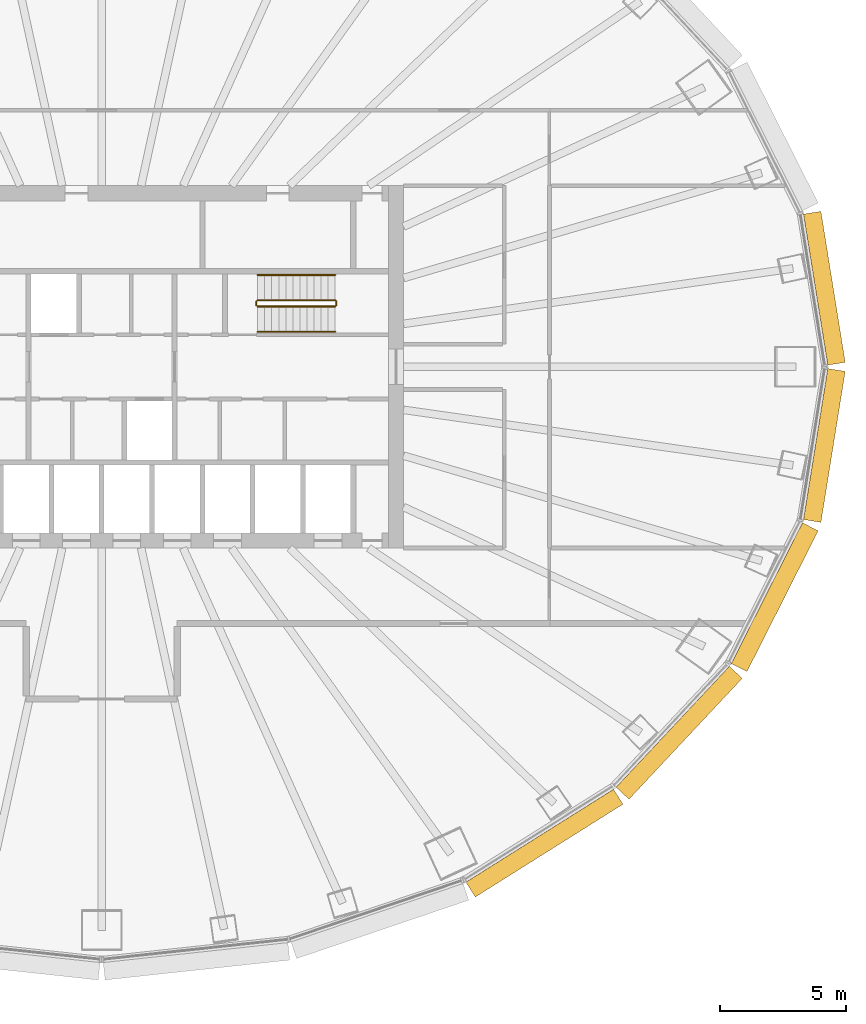
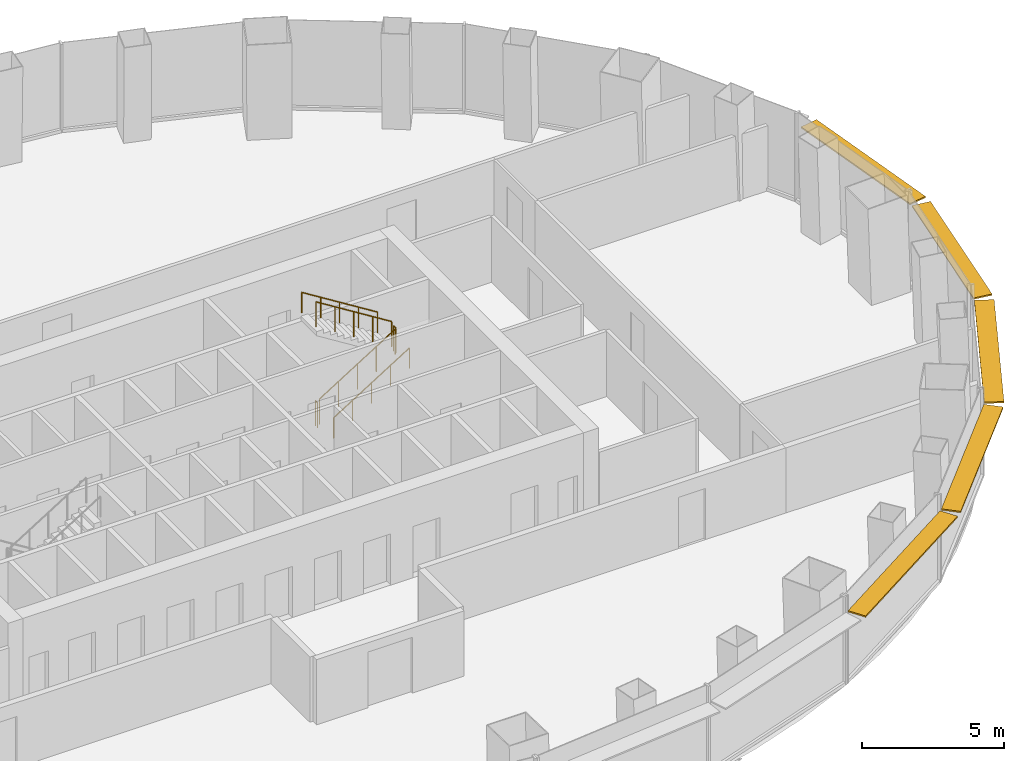
# One storey, part 12 of 13: 6 railings, 5 shading devices.
"""IFC4 building model written with IfcOpenShell, lengths in metres."""

import ifcopenshell
import ifcopenshell.guid

model = None  # the IFC model being written
_history = None  # IfcOwnerHistory: only IFC2X3 demands one
_inside = {}  # id of a spatial element -> (the spatial element, [elements in it])
_under = {}  # id of a project, library or spatial element -> (it, [spatial elements below it])
_declared = {}  # id of a project -> (the project, [libraries it declares])
_typed = {}  # id of a type object -> (the type object, [elements of that type])
_made_of = {}  # id of a material, layer set ... -> (it, [elements and type objects made of it])


def new_model(schema):
    """Start an empty IFC model of exactly this schema.

    Asked for "IFC4X3", IfcOpenShell would pick the latest addendum, in which some entities
    have other attributes; the version numbers below select the first issue.
    IFC2X3 requires an IfcOwnerHistory on every rooted entity: one is made here for all.
    """
    global model, _history
    if schema == "IFC4X3":
        model = ifcopenshell.file(schema_version=(4, 3, 0, 0))
    else:
        model = ifcopenshell.file(schema=schema)
    _inside.clear()
    _under.clear()
    _declared.clear()
    _typed.clear()
    _made_of.clear()
    _history = None
    if model.schema == "IFC2X3":
        org = make("IfcOrganization", Name="unknown")
        user = make(
            "IfcPersonAndOrganization",
            ThePerson=make("IfcPerson", FamilyName="unknown"),
            TheOrganization=org,
        )
        app = make(
            "IfcApplication",
            ApplicationDeveloper=org,
            Version="unknown",
            ApplicationFullName="unknown",
            ApplicationIdentifier="unknown",
        )
        _history = make(
            "IfcOwnerHistory",
            OwningUser=user,
            OwningApplication=app,
            ChangeAction="ADDED",
            CreationDate=0,
        )
    return model


def make(cls, **values):
    """One entity of the class cls with the attributes given. An attribute that is None is left unset."""
    return model.create_entity(
        cls, **{name: value for name, value in values.items() if value is not None}
    )


def rooted(cls, **values):
    """An entity with a GlobalId (a new one), such as an element, a storey or a relation."""
    return make(cls, GlobalId=ifcopenshell.guid.new(), OwnerHistory=_history, **values)


def si_unit(unit_type, name, prefix=None):
    """IfcSIUnit, for example si_unit("LENGTHUNIT", "METRE", prefix="MILLI")."""
    return make("IfcSIUnit", UnitType=unit_type, Prefix=prefix, Name=name)


def assignment(units):
    """IfcUnitAssignment: the units of a project."""
    return None if units is None else make("IfcUnitAssignment", Units=units)


def point(xyz):
    """IfcCartesianPoint."""
    return None if xyz is None else make("IfcCartesianPoint", Coordinates=xyz)


def direction(xyz):
    """IfcDirection."""
    return None if xyz is None else make("IfcDirection", DirectionRatios=xyz)


def frame(location, z_axis=None, x_axis=None):
    """IfcAxis2Placement3D, a coordinate frame: its origin and axes. An axis left out is left unset."""
    return make(
        "IfcAxis2Placement3D",
        Location=point(location),
        Axis=direction(z_axis),
        RefDirection=direction(x_axis),
    )


def frame_2d(location, x_axis=None):
    """IfcAxis2Placement2D, a coordinate frame in the plane: its origin and x axis."""
    return make(
        "IfcAxis2Placement2D", Location=point(location), RefDirection=direction(x_axis)
    )


def origin():
    """The frame at (0, 0, 0) with its axes left unset."""
    return frame((0.0, 0.0, 0.0))


def origin_2d():
    """The frame at (0, 0) in the plane with its x axis left unset."""
    return frame_2d((0.0, 0.0))


def place(relative_to, where):
    """IfcLocalPlacement: puts the frame where relative to a parent placement (None: the world)."""
    return make(
        "IfcLocalPlacement", PlacementRelTo=relative_to, RelativePlacement=where
    )


def context(
    kind, dimensions, precision=None, world=None, true_north=None, identifier=None
):
    """IfcGeometricRepresentationContext, for example the 3D "Model" context."""
    return make(
        "IfcGeometricRepresentationContext",
        ContextIdentifier=identifier,
        ContextType=kind,
        CoordinateSpaceDimension=dimensions,
        Precision=precision,
        WorldCoordinateSystem=world,
        TrueNorth=true_north,
    )


def subcontext(parent, identifier, kind, view, scale=None):
    """IfcGeometricRepresentationSubContext, for example "Body" below "Model"."""
    return make(
        "IfcGeometricRepresentationSubContext",
        ContextIdentifier=identifier,
        ContextType=kind,
        ParentContext=parent,
        TargetScale=scale,
        TargetView=view,
    )


def project(units=None, contexts=None):
    """IfcProject with its units and contexts."""
    return rooted(
        "IfcProject",
        Name="project",
        RepresentationContexts=contexts,
        UnitsInContext=assignment(units),
    )


def spatial(cls, under=None, at=None, **own):
    """A site, building, storey or space (cls), placed at a placement, below another one or the project."""
    s = rooted(cls, ObjectPlacement=at, **own)
    if under is not None:
        _under.setdefault(under.id(), (under, []))[1].append(s)
    return s


def profile(cls, at=None, kind="AREA", **sizes):
    """A parametric profile (cls). Its sizes go by their IFC names, for example OverallWidth=200.0."""
    return make(cls, ProfileType=kind, Position=at, **sizes)


def rectangle(**sizes):
    """IfcRectangleProfileDef."""
    return profile("IfcRectangleProfileDef", **sizes)


def circle(**sizes):
    """IfcCircleProfileDef."""
    return profile("IfcCircleProfileDef", **sizes)


def extrude(swept, where, along, depth):
    """IfcExtrudedAreaSolid: the profile swept, set in the frame where, extruded along a direction by depth."""
    return make(
        "IfcExtrudedAreaSolid",
        SweptArea=swept,
        Position=where,
        ExtrudedDirection=direction(along),
        Depth=depth,
    )


def shape(context_of_items, identifier, shape_type, items):
    """IfcShapeRepresentation: the items that make up one representation, for example the "Body"."""
    return make(
        "IfcShapeRepresentation",
        ContextOfItems=context_of_items,
        RepresentationIdentifier=identifier,
        RepresentationType=shape_type,
        Items=items,
    )


def material(Name=None, Category=None):
    """IfcMaterial."""
    return make("IfcMaterial", Name=Name, Category=Category)


def layer(
    of_material, thickness, ventilated=None, Name=None, Category=None, Priority=None
):
    """IfcMaterialLayer: one layer of a wall or slab, of a material (None: an air gap)."""
    return make(
        "IfcMaterialLayer",
        Material=of_material,
        LayerThickness=thickness,
        IsVentilated=ventilated,
        Name=Name,
        Category=Category,
        Priority=Priority,
    )


def layer_set(layers, Name=None):
    """IfcMaterialLayerSet."""
    return make("IfcMaterialLayerSet", MaterialLayers=layers, LayerSetName=Name)


def made_of(thing, what):
    """Note that an element or type object is made of a material, layer set ...; save() writes the relation."""
    if what is not None:
        _made_of.setdefault(what.id(), (what, []))[1].append(thing)
    return thing


def type_object(cls, material=None, **own):
    """A type object (cls), such as IfcWallType, which elements share."""
    return made_of(rooted(cls, **own), material)


def element(
    cls,
    number,
    at=None,
    inside=None,
    cuts=None,
    type_object=None,
    material=None,
    context=None,
    identifier="Body",
    shape_type=None,
    held_by="IfcProductDefinitionShape",
    body=None,
    shapes=None,
    **own,
):
    """One element of the class cls, such as IfcWall. Its Tag is "e" and its number.

    at: its placement. inside: the storey or other place that contains it. cuts: it is an
    opening in that element (IfcRelVoidsElement). A single representation is given by context,
    identifier, shape_type and body (its items); several are given by shapes. held_by: the class
    of the entity that holds the representations. save() writes the other relations.
    """
    e = rooted(cls, Tag="e%d" % number, ObjectPlacement=at, **own)
    if body is not None:
        shapes = [shape(context, identifier, shape_type, body)]
    if shapes is not None:
        e.Representation = make(held_by, Representations=shapes)
    if inside is not None:
        _inside.setdefault(inside.id(), (inside, []))[1].append(e)
    if cuts is not None:
        rooted(
            "IfcRelVoidsElement", RelatingBuildingElement=cuts, RelatedOpeningElement=e
        )
    if type_object is not None:
        _typed.setdefault(type_object.id(), (type_object, []))[1].append(e)
    return made_of(e, material)


def aggregate(whole, parts):
    """IfcRelAggregates: a whole, such as a stair, and the parts it consists of."""
    return rooted("IfcRelAggregates", RelatingObject=whole, RelatedObjects=parts)


def save(model, path):
    """Write the relations noted so far, then the file.

    IfcRelAggregates (storeys below a building ...), IfcRelContainedInSpatialStructure (elements
    in a storey), IfcRelDefinesByType, IfcRelAssociatesMaterial and IfcRelDeclares: one each for
    every whole, place, type object, material and project.
    """
    for whole, parts in _under.values():
        aggregate(whole, parts)
    for where, things in _inside.values():
        rooted(
            "IfcRelContainedInSpatialStructure",
            RelatedElements=things,
            RelatingStructure=where,
        )
    for kind, things in _typed.values():
        rooted("IfcRelDefinesByType", RelatedObjects=things, RelatingType=kind)
    for what, things in _made_of.values():
        rooted("IfcRelAssociatesMaterial", RelatedObjects=things, RelatingMaterial=what)
    for by, libraries in _declared.values():
        rooted("IfcRelDeclares", RelatingContext=by, RelatedDefinitions=libraries)
    model.write(path)


model = new_model("IFC4")

# Units and contexts
model_context = context("Model", 3, precision=1e-05, world=origin(), true_north=direction((0.0, 1.0)))
body_context = subcontext(model_context, "Body", "Model", "MODEL_VIEW")
ifc_project = project(units=[si_unit("LENGTHUNIT", "METRE"), si_unit("AREAUNIT", "SQUARE_METRE"), si_unit("VOLUMEUNIT", "CUBIC_METRE"), si_unit("PLANEANGLEUNIT", "RADIAN"), si_unit("MASSUNIT", "GRAM", prefix="KILO")], contexts=[model_context])

# Site, building, storey
site_placement = place(None, origin())
site = spatial("IfcSite", under=ifc_project, at=site_placement, CompositionType="ELEMENT")
building_placement = place(site_placement, origin())
building = spatial("IfcBuilding", under=site, at=building_placement, Name="Siaravel Broadcast Tower", CompositionType="ELEMENT")
storey_placement = place(building_placement, frame((0.0, 0.0, 24.5)))
storey = spatial("IfcBuildingStorey", under=building, at=storey_placement, Name="L04", CompositionType="ELEMENT", Elevation=24.5)

# Shading devices
ifc_material_1 = material(Name="Bronze anodised aluminium", Category="aluminium")
ifc_layer = layer(ifc_material_1, 0.06005859375)
ifc_layer_set = layer_set([ifc_layer], Name="Bronze anodised aluminium")
shading_device_type = type_object("IfcShadingDeviceType", Name="Brise-soleil band", PredefinedType="USERDEFINED", material=ifc_layer_set)
shading_device_1_placement = place(storey_placement, frame((28.726318359375, 3.125, 3.070068359375), z_axis=(0.0, 0.0, 1.0), x_axis=(-0.158685394, 0.987329198, 0.0)))
element("IfcShadingDevice", 1, at=shading_device_1_placement, inside=storey, type_object=shading_device_type, Name="L04 brise-soleil band 01", ObjectType="SUNSHADE", PredefinedType="USERDEFINED", context=body_context, shape_type="SweptSolid", body=[
    extrude(rectangle(XDim=6.078125, YDim=0.699951171875, at=origin_2d()), origin(), (0.0, 0.0, 1.0), 0.06005859375),
])
shading_device_2_placement = place(storey_placement, frame((17.599853515625, -18.93310546875, 3.070068359375), z_axis=(0.0, 0.0, 1.0), x_axis=(0.846651365, 0.532147974, 0.0)))
element("IfcShadingDevice", 2, at=shading_device_2_placement, inside=storey, type_object=shading_device_type, Name="L04 brise-soleil band 21", ObjectType="SUNSHADE", PredefinedType="USERDEFINED", context=body_context, shape_type="SweptSolid", body=[
    extrude(rectangle(XDim=6.9326171875, YDim=0.699951171875, at=origin_2d()), origin(), (0.0, 0.0, 1.0), 0.06005859375),
])
shading_device_3_placement = place(storey_placement, frame((22.95556640625, -14.54541015625, 3.070068359375), z_axis=(0.0, 0.0, 1.0), x_axis=(0.683655992, 0.729804415, 0.0)))
element("IfcShadingDevice", 3, at=shading_device_3_placement, inside=storey, type_object=shading_device_type, Name="L04 brise-soleil band 22", ObjectType="SUNSHADE", PredefinedType="USERDEFINED", context=body_context, shape_type="SweptSolid", body=[
    extrude(rectangle(XDim=6.584716796875, YDim=0.699951171875, at=origin_2d()), origin(), (0.0, 0.0, 1.0), 0.06005859375),
])
shading_device_4_placement = place(storey_placement, frame((26.75439453125, -9.15478515625, 3.070068359375), z_axis=(0.0, 0.0, 1.0), x_axis=(0.451262289, 0.892391364, 0.0)))
element("IfcShadingDevice", 4, at=shading_device_4_placement, inside=storey, type_object=shading_device_type, Name="L04 brise-soleil band 23", ObjectType="SUNSHADE", PredefinedType="USERDEFINED", context=body_context, shape_type="SweptSolid", body=[
    extrude(rectangle(XDim=6.268310546875, YDim=0.699951171875, at=origin_2d()), origin(), (0.0, 0.0, 1.0), 0.06005859375),
])
shading_device_5_placement = place(storey_placement, frame((28.726318359375, -3.125, 3.070068359375), z_axis=(0.0, 0.0, 1.0), x_axis=(0.158685394, 0.987329198, 0.0)))
element("IfcShadingDevice", 5, at=shading_device_5_placement, inside=storey, type_object=shading_device_type, Name="L04 brise-soleil band 24", ObjectType="SUNSHADE", PredefinedType="USERDEFINED", context=body_context, shape_type="SweptSolid", body=[
    extrude(rectangle(XDim=6.078125, YDim=0.699951171875, at=origin_2d()), origin(), (0.0, 0.0, 1.0), 0.06005859375),
])

# Railings
ifc_material_2 = material(Name="Stainless steel 316L", Category="steel")
railing_type_1 = type_object("IfcRailingType", Name="Stair guard 1100", PredefinedType="GUARDRAIL", material=ifc_material_2)
railing_1_placement = place(storey_placement, frame((6.199951171875, 2.39990234375, 0.175048828125)))
element("IfcRailing", 6, at=railing_1_placement, inside=storey, type_object=railing_type_1, Name="L04 ST-2 stair guard 1", PredefinedType="GUARDRAIL", context=body_context, shape_type="SweptSolid", body=[
    extrude(circle(Radius=0.02392578125, at=origin_2d()), frame((0.0, 0.0, 1.076171875), z_axis=(0.847998304, 0.0, 0.52999894), x_axis=(0.0, 1.0, 0.0)), (0.0, 0.0, 1.0), 3.632080078125),
    extrude(circle(Radius=0.02099609375, at=origin_2d()), origin(), (0.0, 0.0, 1.0), 1.052001953125),
    extrude(circle(Radius=0.02099609375, at=origin_2d()), frame((0.77001953125, 0.0, 0.481201171875)), (0.0, 0.0, 1.0), 1.052001953125),
    extrude(circle(Radius=0.02099609375, at=origin_2d()), frame((1.5400390625, 0.0, 0.96240234375)), (0.0, 0.0, 1.0), 1.052001953125),
    extrude(circle(Radius=0.02099609375, at=origin_2d()), frame((2.31005859375, 0.0, 1.44384765625)), (0.0, 0.0, 1.0), 1.052001953125),
    extrude(circle(Radius=0.02099609375, at=origin_2d()), frame((3.080078125, 0.0, 1.925048828125)), (0.0, 0.0, 1.0), 1.052001953125),
])
railing_2_placement = place(storey_placement, frame((9.330078125, 2.449951171875, 2.10009765625)))
element("IfcRailing", 7, at=railing_2_placement, inside=storey, type_object=railing_type_1, Name="L04 ST-2 stair guard 2", PredefinedType="GUARDRAIL", context=body_context, shape_type="SweptSolid", body=[
    extrude(circle(Radius=0.02392578125, at=origin_2d()), frame((0.0, 0.0, 1.076171875), z_axis=(0.0, 1.0, 0.0), x_axis=(-1.0, 0.0, 0.0)), (0.0, 0.0, 1.0), 0.150146484375),
    extrude(circle(Radius=0.02099609375, at=origin_2d()), origin(), (0.0, 0.0, 1.0), 1.052001953125),
    extrude(circle(Radius=0.02099609375, at=origin_2d()), frame((0.0, 0.150146484375, 0.0)), (0.0, 0.0, 1.0), 1.052001953125),
])
railing_3_placement = place(storey_placement, frame((9.280029296875, 2.64990234375, 2.27490234375)))
element("IfcRailing", 8, at=railing_3_placement, inside=storey, type_object=railing_type_1, Name="L04 ST-2 stair guard 3", PredefinedType="GUARDRAIL", context=body_context, shape_type="SweptSolid", body=[
    extrude(circle(Radius=0.02392578125, at=origin_2d()), frame((0.0, 0.0, 1.076171875), z_axis=(-0.847998304, 0.0, 0.52999894), x_axis=(0.0, -1.0, 0.0)), (0.0, 0.0, 1.0), 3.632080078125),
    extrude(circle(Radius=0.02099609375, at=origin_2d()), origin(), (0.0, 0.0, 1.0), 1.052001953125),
    extrude(circle(Radius=0.02099609375, at=origin_2d()), frame((-0.77001953125, 0.0, 0.481201171875)), (0.0, 0.0, 1.0), 1.052001953125),
    extrude(circle(Radius=0.02099609375, at=origin_2d()), frame((-1.5400390625, 0.0, 0.96240234375)), (0.0, 0.0, 1.0), 1.052001953125),
    extrude(circle(Radius=0.02099609375, at=origin_2d()), frame((-2.31005859375, 0.0, 1.44384765625)), (0.0, 0.0, 1.0), 1.052001953125),
    extrude(circle(Radius=0.02099609375, at=origin_2d()), frame((-3.080078125, 0.0, 1.925048828125)), (0.0, 0.0, 1.0), 1.052001953125),
])
railing_4_placement = place(storey_placement, frame((6.14990234375, 2.449951171875, 0.0)))
element("IfcRailing", 9, at=railing_4_placement, inside=storey, type_object=railing_type_1, Name="L04 ST-2 stair guard 4", PredefinedType="GUARDRAIL", context=body_context, shape_type="SweptSolid", body=[
    extrude(circle(Radius=0.02392578125, at=origin_2d()), frame((0.0, 0.0, 1.076171875), z_axis=(0.0, 1.0, 0.0), x_axis=(-1.0, 0.0, 0.0)), (0.0, 0.0, 1.0), 0.150146484375),
    extrude(circle(Radius=0.02099609375, at=origin_2d()), origin(), (0.0, 0.0, 1.0), 1.052001953125),
    extrude(circle(Radius=0.02099609375, at=origin_2d()), frame((0.0, 0.150146484375, 0.0)), (0.0, 0.0, 1.0), 1.052001953125),
])
railing_type_2 = type_object("IfcRailingType", Name="Stair handrail 900", PredefinedType="HANDRAIL", material=ifc_material_2)
railing_5_placement = place(storey_placement, frame((6.199951171875, 1.39990234375, 0.175048828125)))
element("IfcRailing", 10, at=railing_5_placement, inside=storey, type_object=railing_type_2, Name="L04 ST-2 stair handrail 1", PredefinedType="HANDRAIL", context=body_context, shape_type="SweptSolid", body=[
    extrude(circle(Radius=0.02392578125, at=origin_2d()), frame((0.0, 0.0, 0.8759765625), z_axis=(0.847998304, 0.0, 0.52999894), x_axis=(0.0, 1.0, 0.0)), (0.0, 0.0, 1.0), 3.632080078125),
    extrude(circle(Radius=0.02099609375, at=origin_2d()), origin(), (0.0, 0.0, 1.0), 0.851806640625),
    extrude(circle(Radius=0.02099609375, at=origin_2d()), frame((0.77001953125, 0.0, 0.481201171875)), (0.0, 0.0, 1.0), 0.851806640625),
    extrude(circle(Radius=0.02099609375, at=origin_2d()), frame((1.5400390625, 0.0, 0.96240234375)), (0.0, 0.0, 1.0), 0.851806640625),
    extrude(circle(Radius=0.02099609375, at=origin_2d()), frame((2.31005859375, 0.0, 1.44384765625)), (0.0, 0.0, 1.0), 0.851806640625),
    extrude(circle(Radius=0.02099609375, at=origin_2d()), frame((3.080078125, 0.0, 1.925048828125)), (0.0, 0.0, 1.0), 0.851806640625),
])
railing_6_placement = place(storey_placement, frame((9.280029296875, 3.64990234375, 2.27490234375)))
element("IfcRailing", 11, at=railing_6_placement, inside=storey, type_object=railing_type_2, Name="L04 ST-2 stair handrail 2", PredefinedType="HANDRAIL", context=body_context, shape_type="SweptSolid", body=[
    extrude(circle(Radius=0.02392578125, at=origin_2d()), frame((0.0, 0.0, 0.8759765625), z_axis=(-0.847998304, 0.0, 0.52999894), x_axis=(0.0, -1.0, 0.0)), (0.0, 0.0, 1.0), 3.632080078125),
    extrude(circle(Radius=0.02099609375, at=origin_2d()), origin(), (0.0, 0.0, 1.0), 0.851806640625),
    extrude(circle(Radius=0.02099609375, at=origin_2d()), frame((-0.77001953125, 0.0, 0.481201171875)), (0.0, 0.0, 1.0), 0.851806640625),
    extrude(circle(Radius=0.02099609375, at=origin_2d()), frame((-1.5400390625, 0.0, 0.96240234375)), (0.0, 0.0, 1.0), 0.851806640625),
    extrude(circle(Radius=0.02099609375, at=origin_2d()), frame((-2.31005859375, 0.0, 1.44384765625)), (0.0, 0.0, 1.0), 0.851806640625),
    extrude(circle(Radius=0.02099609375, at=origin_2d()), frame((-3.080078125, 0.0, 1.925048828125)), (0.0, 0.0, 1.0), 0.851806640625),
])

save(model, "model.ifc")
